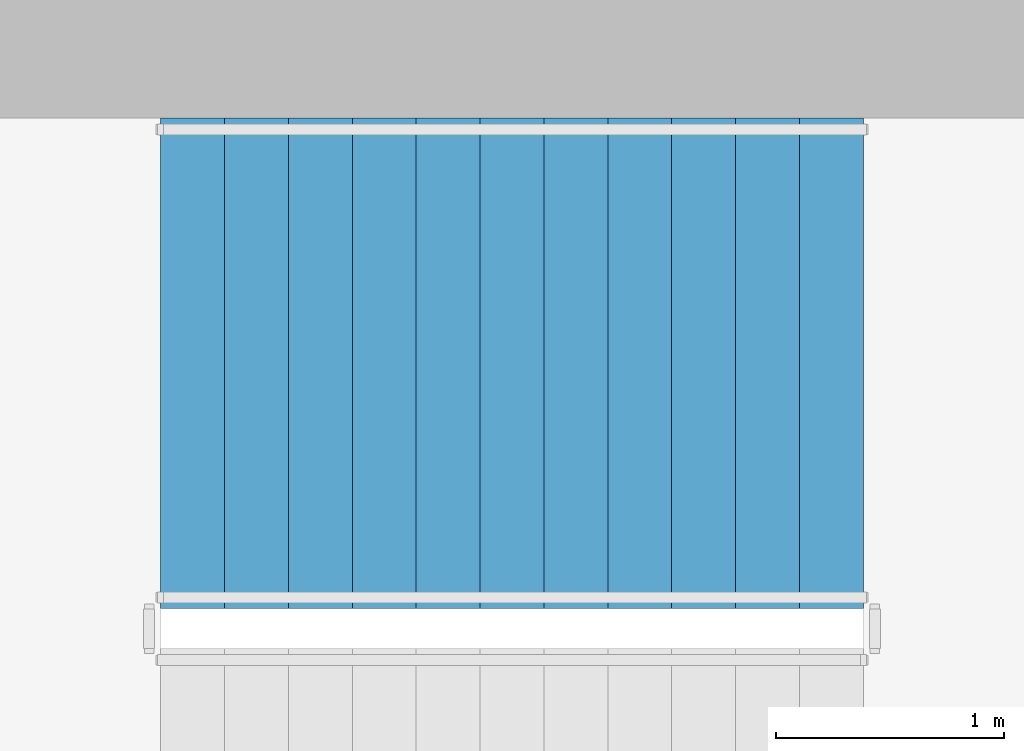
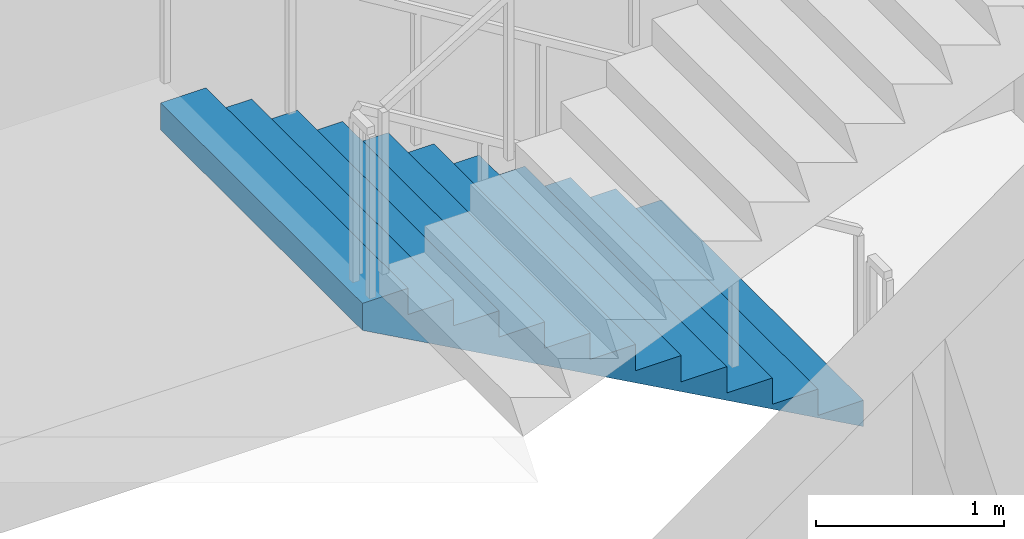
# One storey, part 9 of 14: 1 stair flight, 1 element without a shape of its own.
"""IFC4 building model written with IfcOpenShell, lengths in metres."""

from ifc_helpers import new_model, si_unit, direction, frame, origin, place, context, subcontext, project, spatial, triangles, material, type_object, element, aggregate, save


model = new_model("IFC4")

# Units and contexts
model_context = context("Model", 3, precision=1e-05, world=origin(), true_north=direction((0.0, 1.0)))
body_context = subcontext(model_context, "Body", "Model", "MODEL_VIEW")
ifc_project = project(units=[si_unit("LENGTHUNIT", "METRE"), si_unit("AREAUNIT", "SQUARE_METRE"), si_unit("VOLUMEUNIT", "CUBIC_METRE"), si_unit("PLANEANGLEUNIT", "RADIAN"), si_unit("MASSUNIT", "GRAM", prefix="KILO")], contexts=[model_context])

# Site, building, storey
site_placement = place(None, origin())
site = spatial("IfcSite", under=ifc_project, at=site_placement, CompositionType="ELEMENT")
building_placement = place(site_placement, origin())
building = spatial("IfcBuilding", under=site, at=building_placement, Name="Cypress Arch Tower", CompositionType="ELEMENT")
storey_placement = place(building_placement, frame((0.0, 0.0, 300.800048828125)))
storey = spatial("IfcBuildingStorey", under=building, at=storey_placement, Name="L68", CompositionType="ELEMENT", Elevation=300.800048828125)

# Stair, stair flight
ifc_material_1 = material(Name="Concrete C40/50", Category="concrete")
stair_type = type_object("IfcStairType", Name="Exit stair ES1708-215", PredefinedType="HALF_TURN_STAIR", material=ifc_material_1)
stair_placement = place(storey_placement, origin())
stair = element("IfcStair", 1, at=stair_placement, inside=storey, type_object=stair_type, Name="L68 Exit stair B", PredefinedType="HALF_TURN_STAIR")
ifc_material_2 = material(Name="Concrete C40/50", Category="concrete")
stair_flight_type = type_object("IfcStairFlightType", Name="Exit stair flight ES1708-215", PredefinedType="STRAIGHT", material=ifc_material_2)
stair_flight_placement = place(storey_placement, frame((-22.27490234375, 13.72509765625, 0.0), z_axis=(0.0, 0.0, 1.0), x_axis=(-1.0, 0.0, 0.0)))
stair_flight = element("IfcStairFlight", 2, at=stair_flight_placement, type_object=stair_flight_type, Name="B flight 1", NumberOfRisers=12, NumberOfTreads=11, PredefinedType="STRAIGHT", RiserHeight=0.170833333, TreadLength=0.28, context=body_context, shape_type="Tessellation", body=[
    triangles([(0.0, -1.074951171875, 0.0), (0.000244140625, -1.074951171875, 0.01904296875), (0.000244140625, -1.074951171875, 0.0380859375), (0.00048828125, -1.074951171875, 0.056884765625), (0.00048828125, -1.074951171875, 0.075927734375), (0.00048828125, -1.074951171875, 0.094970703125), (0.00048828125, -1.074951171875, 0.114013671875), (0.000244140625, -1.074951171875, 0.1328125), (0.000244140625, -1.074951171875, 0.15185546875), (0.0, -1.074951171875, 0.1708984375), (0.280029296875, -1.074951171875, 0.1708984375), (0.280029296875, -1.074951171875, 0.341552734375), (0.56005859375, -1.074951171875, 0.341552734375), (0.56005859375, -1.074951171875, 0.512451171875), (0.840087890625, -1.074951171875, 0.512451171875), (0.840087890625, -1.074951171875, 0.683349609375), (1.1201171875, -1.074951171875, 0.683349609375), (1.1201171875, -1.074951171875, 0.854248046875), (1.39990234375, -1.074951171875, 0.854248046875), (1.39990234375, -1.074951171875, 1.02490234375), (1.679931640625, -1.074951171875, 1.02490234375), (1.679931640625, -1.074951171875, 1.19580078125), (1.9599609375, -1.074951171875, 1.19580078125), (1.9599609375, -1.074951171875, 1.36669921875), (2.239990234375, -1.074951171875, 1.36669921875), (2.239990234375, -1.074951171875, 1.53759765625), (2.52001953125, -1.074951171875, 1.53759765625), (2.52001953125, -1.074951171875, 1.708251953125), (2.800048828125, -1.074951171875, 1.708251953125), (2.800048828125, -1.074951171875, 1.879150390625), (3.080078125, -1.074951171875, 1.879150390625), (3.079833984375, -1.074951171875, 1.859619140625), (3.079833984375, -1.074951171875, 1.840087890625), (3.07958984375, -1.074951171875, 1.820556640625), (3.07958984375, -1.074951171875, 1.801025390625), (3.07958984375, -1.074951171875, 1.78173828125), (3.07958984375, -1.074951171875, 1.76220703125), (3.079833984375, -1.074951171875, 1.74267578125), (3.079833984375, -1.074951171875, 1.72314453125), (3.080078125, -1.074951171875, 1.70361328125), (3.080078125, 1.074951171875, 1.70361328125), (3.079833984375, 1.074951171875, 1.72314453125), (3.079833984375, 1.074951171875, 1.74267578125), (3.07958984375, 1.074951171875, 1.76220703125), (3.07958984375, 1.074951171875, 1.78173828125), (3.07958984375, 1.074951171875, 1.801025390625), (3.07958984375, 1.074951171875, 1.820556640625), (3.079833984375, 1.074951171875, 1.840087890625), (3.079833984375, 1.074951171875, 1.859619140625), (3.080078125, 1.074951171875, 1.879150390625), (2.800048828125, 1.074951171875, 1.879150390625), (2.800048828125, 1.074951171875, 1.708251953125), (2.52001953125, 1.074951171875, 1.708251953125), (2.52001953125, 1.074951171875, 1.53759765625), (2.239990234375, 1.074951171875, 1.53759765625), (2.239990234375, 1.074951171875, 1.36669921875), (1.9599609375, 1.074951171875, 1.36669921875), (1.9599609375, 1.074951171875, 1.19580078125), (1.679931640625, 1.074951171875, 1.19580078125), (1.679931640625, 1.074951171875, 1.02490234375), (1.39990234375, 1.074951171875, 1.02490234375), (1.39990234375, 1.074951171875, 0.854248046875), (1.1201171875, 1.074951171875, 0.854248046875), (1.1201171875, 1.074951171875, 0.683349609375), (0.840087890625, 1.074951171875, 0.683349609375), (0.840087890625, 1.074951171875, 0.512451171875), (0.56005859375, 1.074951171875, 0.512451171875), (0.56005859375, 1.074951171875, 0.341552734375), (0.280029296875, 1.074951171875, 0.341552734375), (0.280029296875, 1.074951171875, 0.1708984375), (0.0, 1.074951171875, 0.1708984375), (0.000244140625, 1.074951171875, 0.15185546875), (0.000244140625, 1.074951171875, 0.1328125), (0.00048828125, 1.074951171875, 0.114013671875), (0.00048828125, 1.074951171875, 0.094970703125), (0.00048828125, 1.074951171875, 0.075927734375), (0.00048828125, 1.074951171875, 0.056884765625), (0.000244140625, 1.074951171875, 0.0380859375), (0.000244140625, 1.074951171875, 0.01904296875), (0.0, 1.074951171875, 0.0)], [[40, 39, 30], [39, 38, 30], [38, 37, 30], [37, 36, 30], [36, 35, 30], [35, 34, 30], [34, 33, 30], [33, 32, 30], [32, 31, 30], [19, 18, 17], [27, 26, 25], [25, 24, 23], [23, 22, 21], [17, 16, 15], [15, 14, 13], [10, 9, 11], [9, 8, 11], [8, 7, 11], [7, 6, 11], [6, 5, 11], [5, 4, 11], [4, 3, 11], [3, 2, 11], [2, 1, 11], [29, 28, 27], [21, 20, 19], [13, 12, 11], [40, 30, 29], [40, 29, 27], [40, 27, 25], [40, 25, 23], [40, 23, 21], [40, 21, 19], [40, 19, 17], [40, 17, 15], [40, 15, 13], [1, 40, 13], [13, 11, 1], [41, 51, 42], [42, 51, 43], [43, 51, 44], [44, 51, 45], [45, 51, 46], [46, 51, 47], [47, 51, 48], [48, 51, 49], [49, 51, 50], [62, 64, 63], [54, 56, 55], [56, 58, 57], [58, 60, 59], [64, 66, 65], [66, 68, 67], [71, 70, 72], [72, 70, 73], [73, 70, 74], [74, 70, 75], [75, 70, 76], [76, 70, 77], [77, 70, 78], [78, 70, 79], [79, 70, 80], [52, 54, 53], [60, 62, 61], [68, 70, 69], [41, 52, 51], [41, 54, 52], [41, 56, 54], [41, 58, 56], [41, 60, 58], [41, 62, 60], [41, 64, 62], [41, 66, 64], [41, 68, 66], [80, 68, 41], [68, 80, 70], [41, 42, 39], [41, 39, 40], [42, 43, 38], [42, 38, 39], [43, 44, 37], [43, 37, 38], [44, 45, 36], [44, 36, 37], [45, 46, 35], [45, 35, 36], [46, 47, 34], [46, 34, 35], [47, 48, 33], [47, 33, 34], [48, 49, 32], [48, 32, 33], [49, 50, 31], [49, 31, 32], [50, 51, 30], [50, 30, 31], [51, 52, 29], [51, 29, 30], [52, 53, 28], [52, 28, 29], [53, 54, 27], [53, 27, 28], [54, 55, 26], [54, 26, 27], [55, 56, 25], [55, 25, 26], [56, 57, 24], [56, 24, 25], [57, 58, 23], [57, 23, 24], [58, 59, 22], [58, 22, 23], [59, 60, 21], [59, 21, 22], [60, 61, 20], [60, 20, 21], [61, 62, 19], [61, 19, 20], [62, 63, 18], [62, 18, 19], [63, 64, 17], [63, 17, 18], [64, 65, 16], [64, 16, 17], [65, 66, 15], [65, 15, 16], [66, 67, 14], [66, 14, 15], [67, 68, 13], [67, 13, 14], [68, 69, 12], [68, 12, 13], [69, 70, 11], [69, 11, 12], [70, 71, 10], [70, 10, 11], [71, 72, 9], [71, 9, 10], [72, 73, 8], [72, 8, 9], [73, 74, 7], [73, 7, 8], [74, 75, 6], [74, 6, 7], [75, 76, 5], [75, 5, 6], [76, 77, 4], [76, 4, 5], [77, 78, 3], [77, 3, 4], [78, 79, 2], [78, 2, 3], [79, 80, 1], [79, 1, 2], [80, 41, 40], [80, 40, 1]], closed=True),
])
aggregate(stair, [stair_flight])

save(model, "model.ifc")
